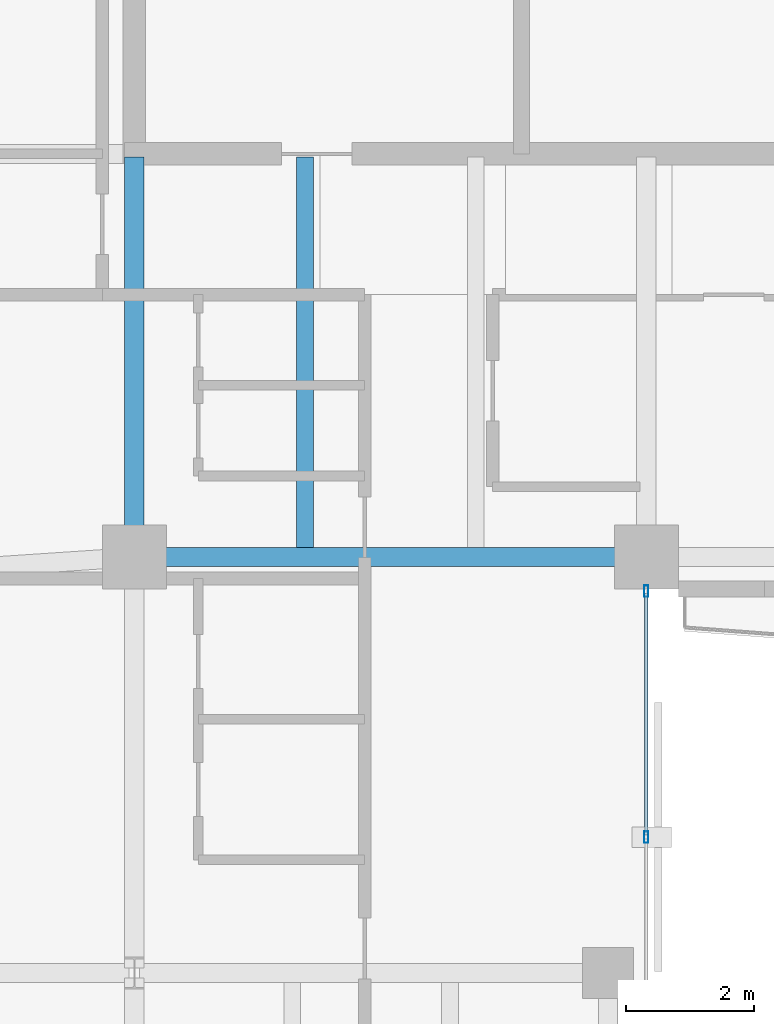
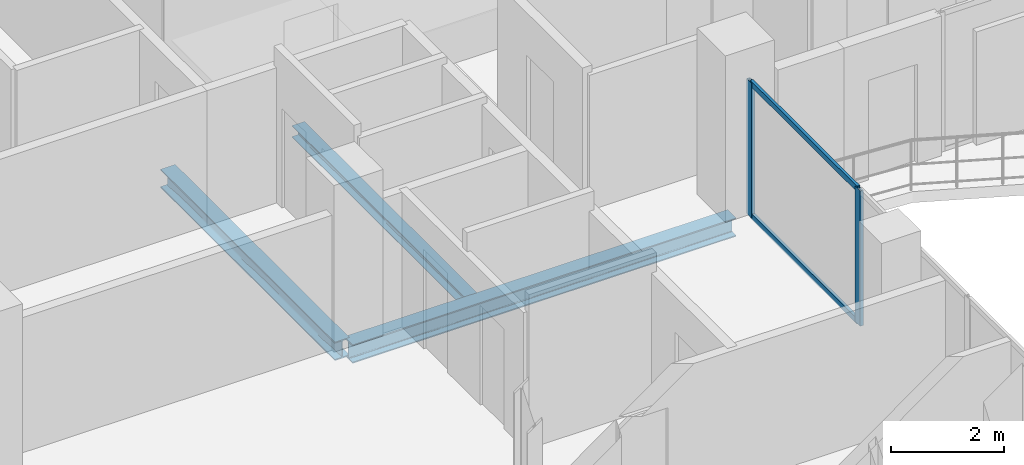
# One storey, part 10 of 23: 4 members, 3 beams, 1 element without a shape of its own.
"""IFC4 building model written with IfcOpenShell, lengths in metres."""

from ifc_helpers import new_model, si_unit, direction, frame, origin, origin_2d, place, context, subcontext, project, spatial, hollow_rectangle, i_section, extrude, material, layer, layer_set, material_profile, profile_set, type_object, element, aggregate, save


model = new_model("IFC4")

# Units and contexts
model_context = context("Model", 3, precision=1e-05, world=origin(), true_north=direction((0.0, 1.0)))
body_context = subcontext(model_context, "Body", "Model", "MODEL_VIEW")
ifc_project = project(units=[si_unit("LENGTHUNIT", "METRE"), si_unit("AREAUNIT", "SQUARE_METRE"), si_unit("VOLUMEUNIT", "CUBIC_METRE"), si_unit("PLANEANGLEUNIT", "RADIAN"), si_unit("MASSUNIT", "GRAM", prefix="KILO")], contexts=[model_context])

# Site, building, storey
site_placement = place(None, origin())
site = spatial("IfcSite", under=ifc_project, at=site_placement, CompositionType="ELEMENT")
building_placement = place(site_placement, origin())
building = spatial("IfcBuilding", under=site, at=building_placement, Name="Catumbela Crestline Tower", CompositionType="ELEMENT")
storey_placement = place(building_placement, frame((0.0, 0.0, 179.4)))
storey = spatial("IfcBuildingStorey", under=building, at=storey_placement, Name="L46", CompositionType="ELEMENT", Elevation=179.4)

# Beams
ifc_material_1 = material(Name="Structural steel S355J2", Category="steel")
ifc_material_profile_1 = material_profile(ifc_material_1, i_section(OverallWidth=0.3, OverallDepth=0.4, WebThickness=0.0135, FlangeThickness=0.024, FilletRadius=0.027, at=origin_2d()), Name="HEB 400")
ifc_profile_set_1 = profile_set([ifc_material_profile_1], Name="Structural steel S355J2")
beam_type_1 = type_object("IfcBeamType", Name="BG-HEB400", PredefinedType="BEAM", material=ifc_profile_set_1)
beam_1_placement = place(storey_placement, frame((16.08, 24.5, -0.46), z_axis=(1.0, 0.0, 0.0), x_axis=(0.0, 1.0, 0.0)))
element("IfcBeam", 1, at=beam_1_placement, inside=storey, type_object=beam_type_1, Name="L46 Beam BM-L46-S03", PredefinedType="BEAM", context=body_context, shape_type="SweptSolid", body=[
    extrude(i_section(OverallWidth=0.3, OverallDepth=0.4, WebThickness=0.0135, FlangeThickness=0.024, FilletRadius=0.027, at=origin_2d()), origin(), (0.0, 0.0, 1.0), 7.84),
])
beam_2_placement = place(storey_placement, frame((16.0, 24.58, -0.46), z_axis=(0.0, 1.0, 0.0), x_axis=(-1.0, 0.0, 0.0)))
element("IfcBeam", 2, at=beam_2_placement, inside=storey, type_object=beam_type_1, Name="L46 Beam BM-L46-SNS17", PredefinedType="BEAM", context=body_context, shape_type="SweptSolid", body=[
    extrude(i_section(OverallWidth=0.3, OverallDepth=0.4, WebThickness=0.0135, FlangeThickness=0.024, FilletRadius=0.027, at=origin_2d()), origin(), (0.0, 0.0, 1.0), 6.17),
])
ifc_material_profile_2 = material_profile(ifc_material_1, i_section(OverallWidth=0.26, OverallDepth=0.25, WebThickness=0.0075, FlangeThickness=0.0125, FilletRadius=0.024, at=origin_2d()), Name="HEA 260")
ifc_profile_set_2 = profile_set([ifc_material_profile_2], Name="Structural steel S355J2")
beam_type_2 = type_object("IfcBeamType", Name="BJ-HEA260", PredefinedType="JOIST", material=ifc_profile_set_2)
beam_3_placement = place(storey_placement, frame((18.667, 24.647, -0.385), z_axis=(0.0, 1.0, 0.0), x_axis=(-1.0, 0.0, 0.0)))
element("IfcBeam", 3, at=beam_3_placement, inside=storey, type_object=beam_type_2, Name="L46 Joist JS-L46-SP26", PredefinedType="JOIST", context=body_context, shape_type="SweptSolid", body=[
    extrude(i_section(OverallWidth=0.26, OverallDepth=0.25, WebThickness=0.0075, FlangeThickness=0.0125, FilletRadius=0.024, at=origin_2d()), origin(), (0.0, 0.0, 1.0), 6.103),
])

# Curtain wall, members
ifc_material_2 = material(Name="Aluminium alloy AW-6060-T66", Category="aluminium")
ifc_layer = layer(ifc_material_2, 0.18, Name="Aluminium alloy AW-6060-T66")
ifc_layer_set = layer_set([ifc_layer], Name="Aluminium alloy AW-6060-T66")
curtain_wall_type = type_object("IfcCurtainWallType", Name="CWU-Z3", PredefinedType="USERDEFINED", material=ifc_layer_set)
curtain_wall_placement = place(storey_placement, origin())
curtain_wall = element("IfcCurtainWall", 4, at=curtain_wall_placement, inside=storey, type_object=curtain_wall_type, Name="L46 Unitised Curtain Wall CW-L46-E2S1", ObjectType="UNITISED", PredefinedType="USERDEFINED")
ifc_material_profile_3 = material_profile(ifc_material_2, hollow_rectangle(XDim=0.065, YDim=0.18, WallThickness=0.004, at=origin_2d()), Name="ALU 180x65x4")
ifc_profile_set_3 = profile_set([ifc_material_profile_3], Name="Aluminium alloy AW-6060-T66")
member_type_1 = type_object("IfcMemberType", Name="MUL-180X65", PredefinedType="MULLION", material=ifc_profile_set_3)
member_1_placement = place(storey_placement, frame((24.0, 20.125, 0.0), z_axis=(0.0, 0.0, 1.0), x_axis=(-1.0, 0.0, 0.0)))
member_1 = element("IfcMember", 5, at=member_1_placement, type_object=member_type_1, Name="CWU-Z3 mullion 4", PredefinedType="MULLION", context=body_context, shape_type="SweptSolid", body=[
    extrude(hollow_rectangle(XDim=0.065, YDim=0.18, WallThickness=0.004, at=origin_2d()), origin(), (0.0, 0.0, 1.0), 2.92),
])
member_2_placement = place(storey_placement, frame((24.0, 23.9675, 0.0), z_axis=(0.0, 0.0, 1.0), x_axis=(-1.0, 0.0, 0.0)))
member_2 = element("IfcMember", 6, at=member_2_placement, type_object=member_type_1, Name="CWU-Z3 mullion 5", PredefinedType="MULLION", context=body_context, shape_type="SweptSolid", body=[
    extrude(hollow_rectangle(XDim=0.065, YDim=0.18, WallThickness=0.004, at=origin_2d()), origin(), (0.0, 0.0, 1.0), 2.92),
])
ifc_material_profile_4 = material_profile(ifc_material_2, hollow_rectangle(XDim=0.06, YDim=0.12, WallThickness=0.0035, at=origin_2d()), Name="ALU 120x60x3.5")
ifc_profile_set_4 = profile_set([ifc_material_profile_4], Name="Aluminium alloy AW-6060-T66")
member_type_2 = type_object("IfcMemberType", Name="TRN-120X60", PredefinedType="USERDEFINED", material=ifc_profile_set_4)
member_3_placement = place(storey_placement, frame((24.0, 20.1575, 0.03), z_axis=(0.0, 1.0, 0.0), x_axis=(-1.0, 0.0, 0.0)))
member_3 = element("IfcMember", 7, at=member_3_placement, type_object=member_type_2, Name="CWU-Z3 transom 4.1", ObjectType="TRANSOM", PredefinedType="USERDEFINED", context=body_context, shape_type="SweptSolid", body=[
    extrude(hollow_rectangle(XDim=0.06, YDim=0.12, WallThickness=0.0035, at=origin_2d()), origin(), (0.0, 0.0, 1.0), 3.7775),
])
member_4_placement = place(storey_placement, frame((24.0, 20.1575, 2.89), z_axis=(0.0, 1.0, 0.0), x_axis=(-1.0, 0.0, 0.0)))
member_4 = element("IfcMember", 8, at=member_4_placement, type_object=member_type_2, Name="CWU-Z3 transom 4.2", ObjectType="TRANSOM", PredefinedType="USERDEFINED", context=body_context, shape_type="SweptSolid", body=[
    extrude(hollow_rectangle(XDim=0.06, YDim=0.12, WallThickness=0.0035, at=origin_2d()), origin(), (0.0, 0.0, 1.0), 3.7775),
])
aggregate(curtain_wall, [member_1, member_2, member_3, member_4])

save(model, "model.ifc")
